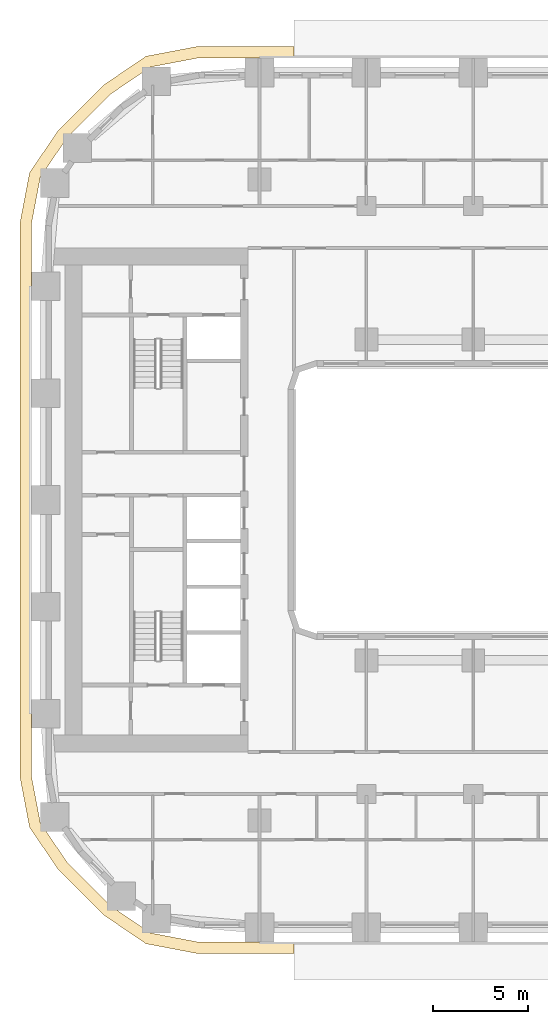
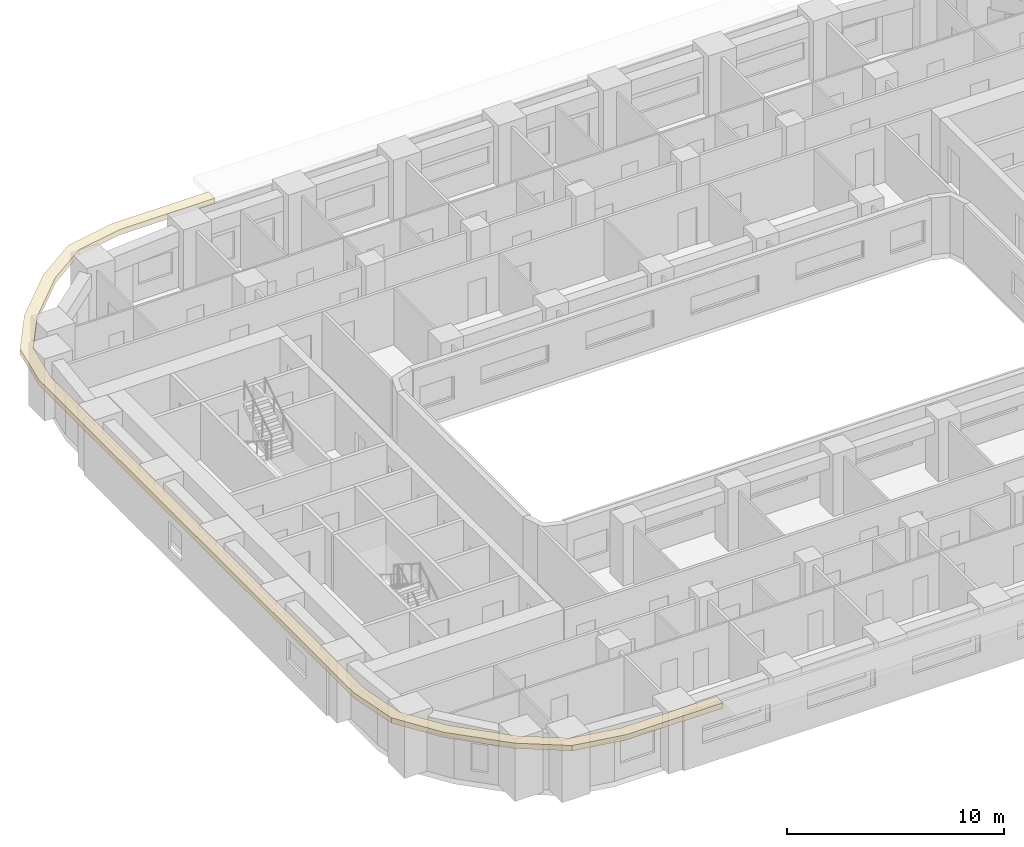
# One storey, part 13 of 20: 1 covering.
"""IFC4 building model written with IfcOpenShell, lengths in metres."""

from ifc_helpers import new_model, si_unit, direction, frame, origin, place, context, subcontext, project, spatial, polyline, outline, extrude, material, layer, layer_set, type_object, element, save


model = new_model("IFC4")

# Units and contexts
model_context = context("Model", 3, precision=1e-05, world=origin(), true_north=direction((0.0, 1.0)))
body_context = subcontext(model_context, "Body", "Model", "MODEL_VIEW")
ifc_project = project(units=[si_unit("LENGTHUNIT", "METRE"), si_unit("AREAUNIT", "SQUARE_METRE"), si_unit("VOLUMEUNIT", "CUBIC_METRE"), si_unit("PLANEANGLEUNIT", "RADIAN"), si_unit("MASSUNIT", "GRAM", prefix="KILO")], contexts=[model_context])

# Site, building, storey
site_placement = place(None, origin())
site = spatial("IfcSite", under=ifc_project, at=site_placement, CompositionType="ELEMENT")
building_placement = place(site_placement, origin())
building = spatial("IfcBuilding", under=site, at=building_placement, Name="Kiln Ring Residences", CompositionType="ELEMENT")
storey_placement = place(building_placement, frame((0.0, 0.0, 37.5)))
storey = spatial("IfcBuildingStorey", under=building, at=storey_placement, Name="L08", CompositionType="ELEMENT", Elevation=37.5)

# Covering
ifc_material = material(Name="Black powder-coated steel", Category="steel")
ifc_layer = layer(ifc_material, 0.300048828125)
ifc_layer_set = layer_set([ifc_layer], Name="SUNSHADE FIN 600")
covering_type = type_object("IfcCoveringType", Name="SUNSHADE FIN 600", PredefinedType="CLADDING", material=ifc_layer_set)
covering_placement = place(storey_placement, frame((0.0, 0.0, 3.199951171875)))
element("IfcCovering", 1, at=covering_placement, inside=storey, type_object=covering_type, Name="SUNSHADE FIN L08", PredefinedType="CLADDING", context=body_context, shape_type="SweptSolid", body=[
    extrude(outline(polyline([(-29.35009765625, -14.527587890625), (-28.849365234375, -17.15185546875), (-27.347900390625, -19.361328125), (-24.96142578125, -21.747802734375), (-22.751953125, -23.24951171875), (-20.127685546875, -23.75), (-15.0, -23.75), (-15.0, -23.14990234375), (-20.07080078125, -23.14990234375), (-22.517333984375, -22.683349609375), (-24.577392578125, -21.283447265625), (-26.88330078125, -18.977294921875), (-28.283447265625, -16.91748046875), (-28.75, -14.470947265625), (-28.75, 14.470947265625), (-28.283447265625, 16.91748046875), (-26.88330078125, 18.977294921875), (-24.577392578125, 21.283447265625), (-22.517333984375, 22.683349609375), (-20.07080078125, 23.14990234375), (-15.0, 23.14990234375), (-15.0, 23.75), (-20.127685546875, 23.75), (-22.751953125, 23.24951171875), (-24.96142578125, 21.747802734375), (-27.347900390625, 19.361328125), (-28.849365234375, 17.15185546875), (-29.35009765625, 14.527587890625), (-29.35009765625, -14.527587890625)])), origin(), (0.0, 0.0, 1.0), 0.300048828125),
])

save(model, "model.ifc")
